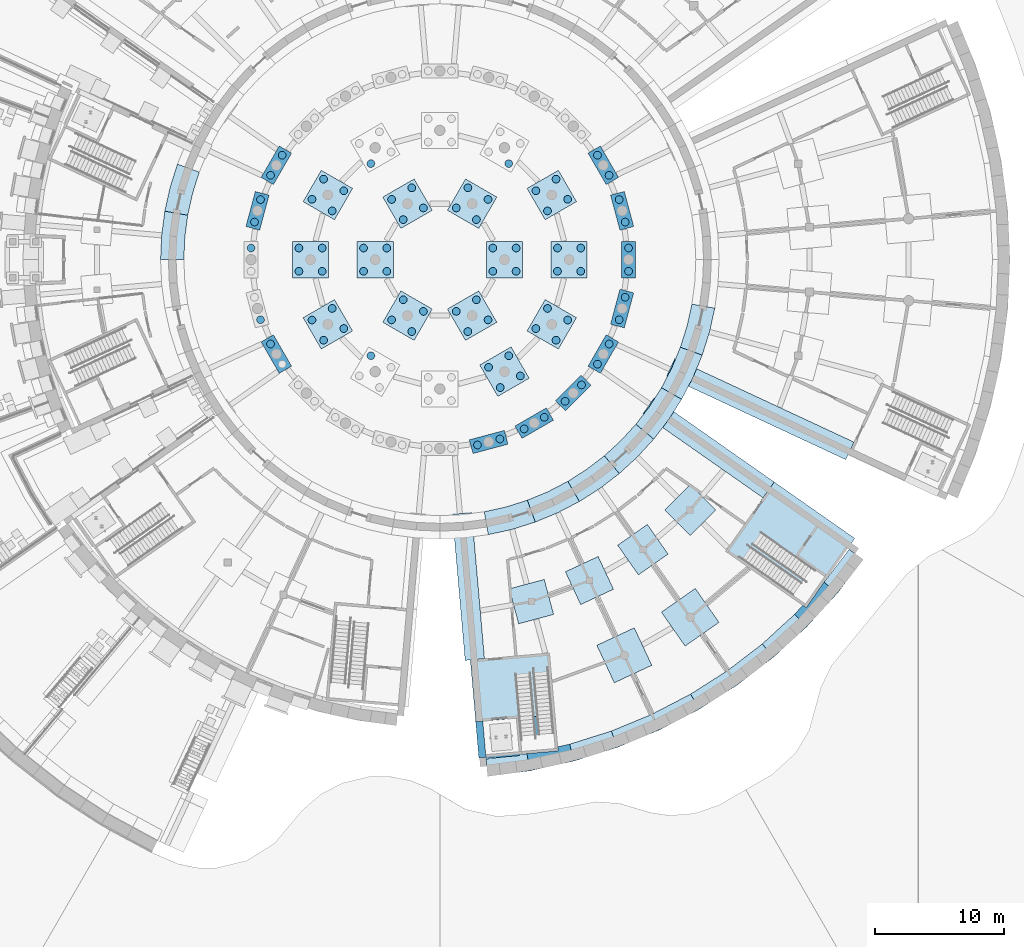
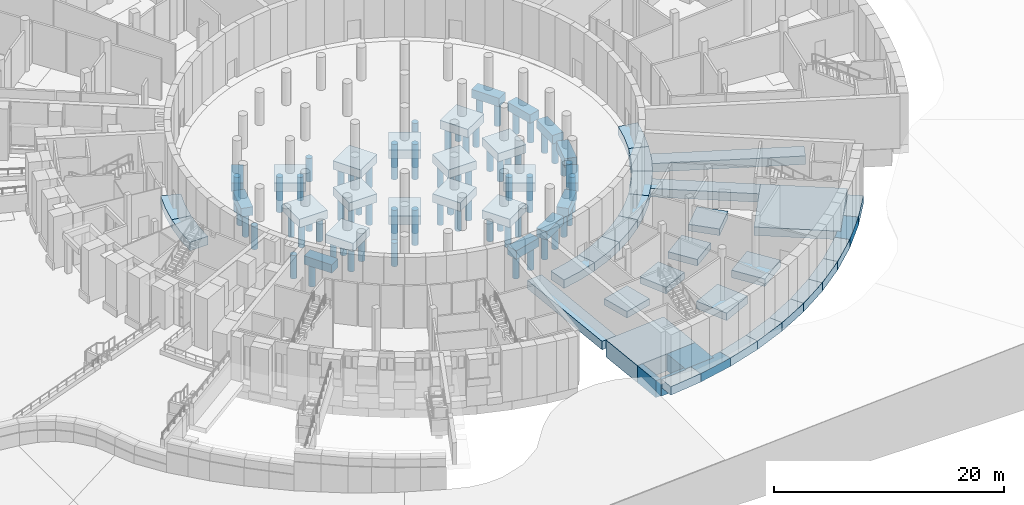
# One storey, part 3 of 65: 78 piles, 57 footings.
"""IFC4 building model written with IfcOpenShell, lengths in metres."""

from ifc_helpers import new_model, si_unit, direction, frame, origin, origin_2d, place, context, subcontext, project, spatial, polyline, rectangle, circle, outline, extrude, material, type_object, element, save


model = new_model("IFC4")

# Units and contexts
model_context = context("Model", 3, precision=1e-05, world=origin(), true_north=direction((0.0, 1.0)))
body_context = subcontext(model_context, "Body", "Model", "MODEL_VIEW")
ifc_project = project(units=[si_unit("LENGTHUNIT", "METRE"), si_unit("AREAUNIT", "SQUARE_METRE"), si_unit("VOLUMEUNIT", "CUBIC_METRE"), si_unit("PLANEANGLEUNIT", "RADIAN"), si_unit("MASSUNIT", "GRAM", prefix="KILO")], contexts=[model_context])

# Site, building, storey
site_placement = place(None, origin())
site = spatial("IfcSite", under=ifc_project, at=site_placement, CompositionType="ELEMENT")
building_placement = place(site_placement, origin())
building = spatial("IfcBuilding", under=site, at=building_placement, Name="Volute Hill Aquarium", CompositionType="ELEMENT")
storey_placement = place(building_placement, frame((0.0, 0.0, -5.5)))
storey = spatial("IfcBuildingStorey", under=building, at=storey_placement, Name="L00", CompositionType="ELEMENT", Elevation=-5.5)

# Piles
ifc_material_1 = material(Name="Concrete C30/37", Category="concrete")
pile_type = type_object("IfcPileType", Name="Bored pile 600 C30/37 L2500", PredefinedType="BORED", material=ifc_material_1)
for number, where, z_axis, x_axis, name in (
    (1, (4.10009765625, -0.89990234375, -1.10009765625), (0.0, 0.0, -1.0), (1.0, 0.0, 0.0), "pl/DR/L00/c1.0.0"),
    (2, (5.89990234375, -0.89990234375, -1.10009765625), (0.0, 0.0, -1.0), (1.0, 0.0, 0.0), "pl/DR/L00/c1.0.1"),
    (3, (4.10009765625, 0.89990234375, -1.10009765625), (0.0, 0.0, -1.0), (1.0, 0.0, 0.0), "pl/DR/L00/c1.0.2"),
    (4, (5.89990234375, 0.89990234375, -1.10009765625), (0.0, 0.0, -1.0), (1.0, 0.0, 0.0), "pl/DR/L00/c1.0.3"),
    (5, (2.829345703125, 3.1005859375, -1.10009765625), (0.0, 0.0, -1.0), (1.0, 0.0, 0.0), "pl/DR/L00/c1.1.0"),
    (6, (3.7294921875, 4.659423828125, -1.10009765625), (0.0, 0.0, -1.0), (1.0, 0.0, 0.0), "pl/DR/L00/c1.1.1"),
    (7, (1.2705078125, 4.000732421875, -1.10009765625), (0.0, 0.0, -1.0), (1.0, 0.0, 0.0), "pl/DR/L00/c1.1.2"),
    (8, (2.170654296875, 5.5595703125, -1.10009765625), (0.0, 0.0, -1.0), (1.0, 0.0, 0.0), "pl/DR/L00/c1.1.3"),
    (9, (-1.2705078125, 4.000732421875, -1.10009765625), (0.0, 0.0, -1.0), (1.0, 0.0, 0.0), "pl/DR/L00/c1.2.0"),
    (10, (-2.170654296875, 5.5595703125, -1.10009765625), (0.0, 0.0, -1.0), (1.0, 0.0, 0.0), "pl/DR/L00/c1.2.1"),
    (11, (-2.829345703125, 3.1005859375, -1.10009765625), (0.0, 0.0, -1.0), (1.0, 0.0, 0.0), "pl/DR/L00/c1.2.2"),
    (12, (-3.7294921875, 4.659423828125, -1.10009765625), (0.0, 0.0, -1.0), (1.0, 0.0, 0.0), "pl/DR/L00/c1.2.3"),
    (13, (-4.10009765625, 0.89990234375, -1.10009765625), (0.0, 0.0, -1.0), (1.0, 0.0, 0.0), "pl/DR/L00/c1.3.0"),
    (14, (-5.89990234375, 0.89990234375, -1.10009765625), (0.0, 0.0, -1.0), (1.0, 0.0, 0.0), "pl/DR/L00/c1.3.1"),
    (15, (-4.10009765625, -0.89990234375, -1.10009765625), (0.0, 0.0, -1.0), (1.0, 0.0, 0.0), "pl/DR/L00/c1.3.2"),
    (16, (-5.89990234375, -0.89990234375, -1.10009765625), (0.0, 0.0, -1.0), (1.0, 0.0, 0.0), "pl/DR/L00/c1.3.3"),
    (17, (-2.829345703125, -3.1005859375, -1.10009765625), (0.0, 0.0, -1.0), (1.0, 0.0, 0.0), "pl/DR/L00/c1.4.0"),
    (18, (-3.7294921875, -4.659423828125, -1.10009765625), (0.0, 0.0, -1.0), (1.0, 0.0, 0.0), "pl/DR/L00/c1.4.1"),
    (19, (-1.2705078125, -4.000732421875, -1.10009765625), (0.0, 0.0, -1.0), (1.0, 0.0, 0.0), "pl/DR/L00/c1.4.2"),
    (20, (-2.170654296875, -5.5595703125, -1.10009765625), (0.0, 0.0, -1.0), (1.0, 0.0, 0.0), "pl/DR/L00/c1.4.3"),
    (21, (1.2705078125, -4.000732421875, -1.10009765625), (0.0, 0.0, -1.0), (1.0, 0.0, 0.0), "pl/DR/L00/c1.5.0"),
    (22, (2.170654296875, -5.5595703125, -1.10009765625), (0.0, 0.0, -1.0), (1.0, 0.0, 0.0), "pl/DR/L00/c1.5.1"),
    (23, (2.829345703125, -3.1005859375, -1.10009765625), (0.0, 0.0, -1.0), (1.0, 0.0, 0.0), "pl/DR/L00/c1.5.2"),
    (24, (3.7294921875, -4.659423828125, -1.10009765625), (0.0, 0.0, -1.0), (1.0, 0.0, 0.0), "pl/DR/L00/c1.5.3"),
    (25, (9.10009765625, -0.89990234375, -1.10009765625), (0.0, 0.0, -1.0), (1.0, 0.0, 0.0), "pl/DR/L00/c2.0.0"),
    (26, (10.89990234375, -0.89990234375, -1.10009765625), (0.0, 0.0, -1.0), (1.0, 0.0, 0.0), "pl/DR/L00/c2.0.1"),
    (27, (9.10009765625, 0.89990234375, -1.10009765625), (0.0, 0.0, -1.0), (1.0, 0.0, 0.0), "pl/DR/L00/c2.0.2"),
    (28, (10.89990234375, 0.89990234375, -1.10009765625), (0.0, 0.0, -1.0), (1.0, 0.0, 0.0), "pl/DR/L00/c2.0.3"),
    (29, (8.330810546875, 3.7705078125, -1.10009765625), (0.0, 0.0, -1.0), (1.0, 0.0, 0.0), "pl/DR/L00/c2.1.0"),
    (30, (9.8896484375, 4.670654296875, -1.10009765625), (0.0, 0.0, -1.0), (1.0, 0.0, 0.0), "pl/DR/L00/c2.1.1"),
    (31, (7.430908203125, 5.329345703125, -1.10009765625), (0.0, 0.0, -1.0), (1.0, 0.0, 0.0), "pl/DR/L00/c2.1.2"),
    (32, (8.98974609375, 6.2294921875, -1.10009765625), (0.0, 0.0, -1.0), (1.0, 0.0, 0.0), "pl/DR/L00/c2.1.3"),
    (33, (5.329345703125, 7.430908203125, -1.10009765625), (0.0, 0.0, -1.0), (1.0, 0.0, 0.0), "pl/DR/L00/c2.2.0"),
    (34, (-5.329345703125, 7.430908203125, -1.10009765625), (0.0, 0.0, -1.0), (1.0, 0.0, 0.0), "pl/DR/L00/c2.4.2"),
    (35, (-7.430908203125, 5.329345703125, -1.10009765625), (0.0, 0.0, -1.0), (1.0, 0.0, 0.0), "pl/DR/L00/c2.5.0"),
    (36, (-8.98974609375, 6.2294921875, -1.10009765625), (0.0, 0.0, -1.0), (1.0, 0.0, 0.0), "pl/DR/L00/c2.5.1"),
    (37, (-8.330810546875, 3.7705078125, -1.10009765625), (0.0, 0.0, -1.0), (1.0, 0.0, 0.0), "pl/DR/L00/c2.5.2"),
    (38, (-9.8896484375, 4.670654296875, -1.10009765625), (0.0, 0.0, -1.0), (1.0, 0.0, 0.0), "pl/DR/L00/c2.5.3"),
    (39, (-9.10009765625, 0.89990234375, -1.10009765625), (0.0, 0.0, -1.0), (1.0, 0.0, 0.0), "pl/DR/L00/c2.6.0"),
    (40, (-10.89990234375, 0.89990234375, -1.10009765625), (0.0, 0.0, -1.0), (1.0, 0.0, 0.0), "pl/DR/L00/c2.6.1"),
    (41, (-9.10009765625, -0.89990234375, -1.10009765625), (0.0, 0.0, -1.0), (1.0, 0.0, 0.0), "pl/DR/L00/c2.6.2"),
    (42, (-10.89990234375, -0.89990234375, -1.10009765625), (0.0, 0.0, -1.0), (1.0, 0.0, 0.0), "pl/DR/L00/c2.6.3"),
    (43, (-8.330810546875, -3.7705078125, -1.10009765625), (0.0, 0.0, -1.0), (1.0, 0.0, 0.0), "pl/DR/L00/c2.7.0"),
    (44, (-9.8896484375, -4.670654296875, -1.10009765625), (0.0, 0.0, -1.0), (1.0, 0.0, 0.0), "pl/DR/L00/c2.7.1"),
    (45, (-7.430908203125, -5.329345703125, -1.10009765625), (0.0, 0.0, -1.0), (1.0, 0.0, 0.0), "pl/DR/L00/c2.7.2"),
    (46, (-8.98974609375, -6.2294921875, -1.10009765625), (0.0, 0.0, -1.0), (1.0, 0.0, 0.0), "pl/DR/L00/c2.7.3"),
    (47, (-5.329345703125, -7.430908203125, -1.10009765625), (0.0, 0.0, -1.0), (1.0, 0.0, 0.0), "pl/DR/L00/c2.8.0"),
    (48, (3.7705078125, -8.330810546875, -1.10009765625), (0.0, 0.0, -1.0), (1.0, 0.0, 0.0), "pl/DR/L00/c2.10.0"),
    (49, (4.670654296875, -9.8896484375, -1.10009765625), (0.0, 0.0, -1.0), (1.0, 0.0, 0.0), "pl/DR/L00/c2.10.1"),
    (50, (5.329345703125, -7.430908203125, -1.10009765625), (0.0, 0.0, -1.0), (1.0, 0.0, 0.0), "pl/DR/L00/c2.10.2"),
    (51, (6.2294921875, -8.98974609375, -1.10009765625), (0.0, 0.0, -1.0), (1.0, 0.0, 0.0), "pl/DR/L00/c2.10.3"),
    (52, (7.430908203125, -5.329345703125, -1.10009765625), (0.0, 0.0, -1.0), (1.0, 0.0, 0.0), "pl/DR/L00/c2.11.0"),
    (53, (8.98974609375, -6.2294921875, -1.10009765625), (0.0, 0.0, -1.0), (1.0, 0.0, 0.0), "pl/DR/L00/c2.11.1"),
    (54, (8.330810546875, -3.7705078125, -1.10009765625), (0.0, 0.0, -1.0), (1.0, 0.0, 0.0), "pl/DR/L00/c2.11.2"),
    (55, (9.8896484375, -4.670654296875, -1.10009765625), (0.0, 0.0, -1.0), (1.0, 0.0, 0.0), "pl/DR/L00/c2.11.3"),
    (56, (14.60009765625, -0.89990234375, -1.10009765625), (0.0, 0.0, -1.0), (1.0, 0.0, 0.0), "pl/DR/L00/c3.0.0"),
    (57, (14.60009765625, 0.89990234375, -1.10009765625), (0.0, 0.0, -1.0), (1.0, 0.0, 0.0), "pl/DR/L00/c3.0.1"),
    (58, (14.33544921875, 2.909423828125, -1.10009765625), (0.0, 0.0, -1.0), (1.0, 0.0, 0.0), "pl/DR/L00/c3.1.0"),
    (59, (13.86962890625, 4.648193359375, -1.10009765625), (0.0, 0.0, -1.0), (1.0, 0.0, 0.0), "pl/DR/L00/c3.1.1"),
    (60, (13.093994140625, 6.5205078125, -1.10009765625), (0.0, 0.0, -1.0), (1.0, 0.0, 0.0), "pl/DR/L00/c3.2.0"),
    (61, (12.194091796875, 8.079345703125, -1.10009765625), (0.0, 0.0, -1.0), (1.0, 0.0, 0.0), "pl/DR/L00/c3.2.1"),
    (62, (-12.194091796875, 8.079345703125, -1.10009765625), (0.0, 0.0, -1.0), (1.0, 0.0, 0.0), "pl/DR/L00/c3.10.0"),
    (63, (-13.093994140625, 6.5205078125, -1.10009765625), (0.0, 0.0, -1.0), (1.0, 0.0, 0.0), "pl/DR/L00/c3.10.1"),
    (64, (-13.86962890625, 4.648193359375, -1.10009765625), (0.0, 0.0, -1.0), (1.0, 0.0, 0.0), "pl/DR/L00/c3.11.0"),
    (65, (-14.33544921875, 2.909423828125, -1.10009765625), (0.0, 0.0, -1.0), (1.0, 0.0, 0.0), "pl/DR/L00/c3.11.1"),
    (66, (-14.60009765625, 0.89990234375, -1.10009765625), (0.0, 0.0, -1.0), (1.0, 0.0, 0.0), "pl/DR/L00/c3.12.0"),
    (67, (-13.86962890625, -4.648193359375, -1.10009765625), (0.0, 0.0, -1.0), (1.0, 0.0, 0.0), "pl/DR/L00/c3.13.1"),
    (68, (-13.093994140625, -6.5205078125, -1.10009765625), (0.0, 0.0, -1.0), (1.0, 0.0, 0.0), "pl/DR/L00/c3.14.0"),
    (69, (2.909423828125, -14.33544921875, -1.10009765625), (0.0, 0.0, -1.0), (1.0, 0.0, 0.0), "pl/DR/L00/c3.19.0"),
    (70, (4.648193359375, -13.86962890625, -1.10009765625), (0.0, 0.0, -1.0), (1.0, 0.0, 0.0), "pl/DR/L00/c3.19.1"),
    (71, (6.5205078125, -13.093994140625, -1.10009765625), (0.0, 0.0, -1.0), (1.0, 0.0, 0.0), "pl/DR/L00/c3.20.0"),
    (72, (8.079345703125, -12.194091796875, -1.10009765625), (0.0, 0.0, -1.0), (1.0, 0.0, 0.0), "pl/DR/L00/c3.20.1"),
    (73, (9.6875, -10.960205078125, -1.10009765625), (0.0, 0.0, -1.0), (1.0, 0.0, 0.0), "pl/DR/L00/c3.21.0"),
    (74, (10.960205078125, -9.6875, -1.10009765625), (0.0, 0.0, -1.0), (1.0, 0.0, 0.0), "pl/DR/L00/c3.21.1"),
    (75, (12.194091796875, -8.079345703125, -1.10009765625), (0.0, 0.0, -1.0), (1.0, 0.0, 0.0), "pl/DR/L00/c3.22.0"),
    (76, (13.093994140625, -6.5205078125, -1.10009765625), (0.0, 0.0, -1.0), (1.0, 0.0, 0.0), "pl/DR/L00/c3.22.1"),
    (77, (13.86962890625, -4.648193359375, -1.10009765625), (0.0, 0.0, -1.0), (1.0, 0.0, 0.0), "pl/DR/L00/c3.23.0"),
    (78, (14.33544921875, -2.909423828125, -1.10009765625), (0.0, 0.0, -1.0), (1.0, 0.0, 0.0), "pl/DR/L00/c3.23.1"),
):
    element("IfcPile", number, at=place(storey_placement, frame(where, z_axis=z_axis, x_axis=x_axis)), inside=storey, type_object=pile_type, Name=name, PredefinedType="BORED", context=body_context, shape_type="SweptSolid", body=[
        extrude(circle(Radius=0.300048828125, at=origin_2d()), origin(), (0.0, 0.0, 1.0), 2.5),
    ])

# Footings
ifc_material_2 = material(Name="Concrete C30/37", Category="concrete")
footing_type_1 = type_object("IfcFootingType", Name="Core raft footing 900 C30/37", PredefinedType="PAD_FOOTING", material=ifc_material_2)
footing_1_placement = place(storey_placement, frame((0.0, 0.0, -0.89990234375)))
element("IfcFooting", 79, at=footing_1_placement, inside=storey, type_object=footing_type_1, Name="ft/S3/L00/raftB", PredefinedType="PAD_FOOTING", context=body_context, shape_type="SweptSolid", body=[
    extrude(outline(polyline([(25.00439453125, -18.423828125), (25.00439453125, -18.423828125), (25.864990234375, -17.1953125), (32.09033203125, -21.554443359375), (31.54541015625, -22.33251953125), (31.54541015625, -22.33251953125), (28.33349609375, -26.919921875), (22.10791015625, -22.560546875), (25.00439453125, -18.423828125)])), origin(), (0.0, 0.0, 1.0), 0.89990234375),
])
ifc_material_3 = material(Name="Concrete C30/37", Category="concrete")
footing_type_2 = type_object("IfcFootingType", Name="Drum wall strip footing 1800", PredefinedType="STRIP_FOOTING", material=ifc_material_3)
footing_2_placement = place(storey_placement, frame((0.0, 0.0, -0.89990234375)))
element("IfcFooting", 80, at=footing_2_placement, inside=storey, type_object=footing_type_2, Name="ft/DR/L00/s16", PredefinedType="STRIP_FOOTING", context=body_context, shape_type="SweptSolid", body=[
    extrude(outline(polyline([(-20.29736328125, 7.3876953125), (-20.864013671875, 5.590576171875), (-21.271728515625, 3.750732421875), (-19.499267578125, 3.438232421875), (-19.125244140625, 5.12451171875), (-18.60595703125, 6.77197265625), (-20.29736328125, 7.3876953125)])), origin(), (0.0, 0.0, 1.0), 0.89990234375),
])
footing_3_placement = place(storey_placement, frame((0.0, 0.0, -0.89990234375)))
element("IfcFooting", 81, at=footing_3_placement, inside=storey, type_object=footing_type_2, Name="ft/DR/L00/s17", PredefinedType="STRIP_FOOTING", context=body_context, shape_type="SweptSolid", body=[
    extrude(outline(polyline([(-21.271728515625, 3.750732421875), (-21.517822265625, 1.882568359375), (-21.60009765625, 0.0), (-19.800048828125, 0.0), (-19.724609375, 1.7255859375), (-19.499267578125, 3.438232421875), (-21.271728515625, 3.750732421875)])), origin(), (0.0, 0.0, 1.0), 0.89990234375),
])
footing_4_placement = place(storey_placement, frame((0.0, 0.0, -0.89990234375)))
element("IfcFooting", 82, at=footing_4_placement, inside=storey, type_object=footing_type_2, Name="ft/DR/L00/s28", PredefinedType="STRIP_FOOTING", context=body_context, shape_type="SweptSolid", body=[
    extrude(outline(polyline([(3.750732421875, -21.271728515625), (5.590576171875, -20.864013671875), (7.3876953125, -20.29736328125), (6.77197265625, -18.60595703125), (5.12451171875, -19.125244140625), (3.438232421875, -19.499267578125), (3.750732421875, -21.271728515625)])), origin(), (0.0, 0.0, 1.0), 0.89990234375),
])
footing_5_placement = place(storey_placement, frame((0.0, 0.0, -0.89990234375)))
element("IfcFooting", 83, at=footing_5_placement, inside=storey, type_object=footing_type_2, Name="ft/DR/L00/s29", PredefinedType="STRIP_FOOTING", context=body_context, shape_type="SweptSolid", body=[
    extrude(outline(polyline([(7.3876953125, -20.29736328125), (9.128662109375, -19.576171875), (10.800048828125, -18.7060546875), (9.89990234375, -17.147216796875), (8.367919921875, -17.94482421875), (6.77197265625, -18.60595703125), (7.3876953125, -20.29736328125)])), origin(), (0.0, 0.0, 1.0), 0.89990234375),
])
footing_6_placement = place(storey_placement, frame((0.0, 0.0, -0.89990234375)))
element("IfcFooting", 84, at=footing_6_placement, inside=storey, type_object=footing_type_2, Name="ft/DR/L00/s30", PredefinedType="STRIP_FOOTING", context=body_context, shape_type="SweptSolid", body=[
    extrude(outline(polyline([(10.800048828125, -18.7060546875), (12.389404296875, -17.693603515625), (13.88427734375, -16.546630859375), (12.727294921875, -15.167724609375), (11.356689453125, -16.21923828125), (9.89990234375, -17.147216796875), (10.800048828125, -18.7060546875)])), origin(), (0.0, 0.0, 1.0), 0.89990234375),
])
footing_7_placement = place(storey_placement, frame((0.0, 0.0, -0.89990234375)))
element("IfcFooting", 85, at=footing_7_placement, inside=storey, type_object=footing_type_2, Name="ft/DR/L00/s31", PredefinedType="STRIP_FOOTING", context=body_context, shape_type="SweptSolid", body=[
    extrude(outline(polyline([(13.88427734375, -16.546630859375), (15.2734375, -15.2734375), (16.546630859375, -13.88427734375), (15.167724609375, -12.727294921875), (14.000732421875, -14.000732421875), (12.727294921875, -15.167724609375), (13.88427734375, -16.546630859375)])), origin(), (0.0, 0.0, 1.0), 0.89990234375),
])
footing_8_placement = place(storey_placement, frame((0.0, 0.0, -0.89990234375)))
element("IfcFooting", 86, at=footing_8_placement, inside=storey, type_object=footing_type_2, Name="ft/DR/L00/s32", PredefinedType="STRIP_FOOTING", context=body_context, shape_type="SweptSolid", body=[
    extrude(outline(polyline([(16.546630859375, -13.88427734375), (17.693603515625, -12.389404296875), (18.7060546875, -10.800048828125), (17.147216796875, -9.89990234375), (16.21923828125, -11.356689453125), (15.167724609375, -12.727294921875), (16.546630859375, -13.88427734375)])), origin(), (0.0, 0.0, 1.0), 0.89990234375),
])
footing_9_placement = place(storey_placement, frame((0.0, 0.0, -0.89990234375)))
element("IfcFooting", 87, at=footing_9_placement, inside=storey, type_object=footing_type_2, Name="ft/DR/L00/s33", PredefinedType="STRIP_FOOTING", context=body_context, shape_type="SweptSolid", body=[
    extrude(outline(polyline([(18.7060546875, -10.800048828125), (19.576171875, -9.128662109375), (20.29736328125, -7.3876953125), (18.60595703125, -6.77197265625), (17.94482421875, -8.367919921875), (17.147216796875, -9.89990234375), (18.7060546875, -10.800048828125)])), origin(), (0.0, 0.0, 1.0), 0.89990234375),
])
footing_10_placement = place(storey_placement, frame((0.0, 0.0, -0.89990234375)))
element("IfcFooting", 88, at=footing_10_placement, inside=storey, type_object=footing_type_2, Name="ft/DR/L00/s34", PredefinedType="STRIP_FOOTING", context=body_context, shape_type="SweptSolid", body=[
    extrude(outline(polyline([(20.29736328125, -7.3876953125), (20.864013671875, -5.590576171875), (21.271728515625, -3.750732421875), (19.499267578125, -3.438232421875), (19.125244140625, -5.12451171875), (18.60595703125, -6.77197265625), (20.29736328125, -7.3876953125)])), origin(), (0.0, 0.0, 1.0), 0.89990234375),
])
ifc_material_4 = material(Name="Concrete C30/37", Category="concrete")
footing_type_3 = type_object("IfcFootingType", Name="Lift core raft footing 1800 C30/37", PredefinedType="PAD_FOOTING", material=ifc_material_4)
footing_11_placement = place(storey_placement, frame((0.0, 0.0, -1.800048828125)))
element("IfcFooting", 89, at=footing_11_placement, inside=storey, type_object=footing_type_3, Name="ft/S3/L00/raftA1", PredefinedType="PAD_FOOTING", context=body_context, shape_type="SweptSolid", body=[
    extrude(outline(polyline([(2.357421875, -30.96240234375), (2.77587890625, -35.744140625), (8.902587890625, -35.2080078125), (8.484130859375, -30.42626953125), (2.357421875, -30.96240234375)])), origin(), (0.0, 0.0, 1.0), 1.800048828125),
])
footing_12_placement = place(storey_placement, frame((0.0, 0.0, -1.800048828125)))
element("IfcFooting", 90, at=footing_12_placement, inside=storey, type_object=footing_type_3, Name="ft/S3/L00/raftA2", PredefinedType="PAD_FOOTING", context=body_context, shape_type="SweptSolid", body=[
    extrude(outline(polyline([(5.913818359375, -35.469482421875), (6.157958984375, -38.2587890625), (9.146484375, -37.997314453125), (8.902587890625, -35.2080078125), (5.913818359375, -35.469482421875)])), origin(), (0.0, 0.0, 1.0), 1.800048828125),
])
footing_13_placement = place(storey_placement, frame((0.0, 0.0, -1.800048828125)))
element("IfcFooting", 91, at=footing_13_placement, inside=storey, type_object=footing_type_3, Name="ft/S3/L00/raftA3", PredefinedType="PAD_FOOTING", context=body_context, shape_type="SweptSolid", body=[
    extrude(outline(polyline([(2.77587890625, -35.744140625), (3.02001953125, -38.533447265625), (3.56787109375, -38.485595703125), (3.32373046875, -35.696044921875), (2.77587890625, -35.744140625)])), origin(), (0.0, 0.0, 1.0), 1.800048828125),
])
footing_14_placement = place(storey_placement, frame((0.0, 0.0, -1.800048828125)))
element("IfcFooting", 92, at=footing_14_placement, inside=storey, type_object=footing_type_3, Name="ft/S3/L00/raftA4", PredefinedType="PAD_FOOTING", context=body_context, shape_type="SweptSolid", body=[
    extrude(outline(polyline([(3.55029296875, -38.286376953125), (3.576416015625, -38.585205078125), (6.16650390625, -38.3583984375), (6.140380859375, -38.059814453125), (3.55029296875, -38.286376953125)])), origin(), (0.0, 0.0, 1.0), 1.800048828125),
])
ifc_material_5 = material(Name="Concrete C30/37", Category="concrete")
footing_type_4 = type_object("IfcFootingType", Name="Outer wall strip footing 1350x900 C30/37", PredefinedType="STRIP_FOOTING", material=ifc_material_5)
footing_15_placement = place(storey_placement, frame((0.0, 0.0, -0.89990234375)))
element("IfcFooting", 93, at=footing_15_placement, inside=storey, type_object=footing_type_4, Name="ft/S3/L00/outer0", PredefinedType="STRIP_FOOTING", context=body_context, shape_type="SweptSolid", body=[
    extrude(outline(polyline([(6.971923828125, -39.5400390625), (3.69775390625, -39.97119140625), (3.580078125, -38.626220703125), (6.737548828125, -38.21044921875), (6.971923828125, -39.5400390625)])), origin(), (0.0, 0.0, 1.0), 0.89990234375),
])
footing_16_placement = place(storey_placement, frame((0.0, 0.0, -0.89990234375)))
element("IfcFooting", 94, at=footing_16_placement, inside=storey, type_object=footing_type_4, Name="ft/S3/L00/outer1", PredefinedType="STRIP_FOOTING", context=body_context, shape_type="SweptSolid", body=[
    extrude(outline(polyline([(10.3916015625, -38.781982421875), (6.971923828125, -39.5400390625), (6.737548828125, -38.21044921875), (6.7548828125, -38.206787109375), (9.146484375, -37.997314453125), (9.118896484375, -37.6826171875), (10.042236328125, -37.477783203125), (10.3916015625, -38.781982421875)])), origin(), (0.0, 0.0, 1.0), 0.89990234375),
])
footing_17_placement = place(storey_placement, frame((0.0, 0.0, -0.89990234375)))
element("IfcFooting", 95, at=footing_17_placement, inside=storey, type_object=footing_type_4, Name="ft/S3/L00/outer2", PredefinedType="STRIP_FOOTING", context=body_context, shape_type="SweptSolid", body=[
    extrude(outline(polyline([(13.732177734375, -37.728759765625), (10.3916015625, -38.781982421875), (10.042236328125, -37.477783203125), (13.2705078125, -36.460205078125), (13.732177734375, -37.728759765625)])), origin(), (0.0, 0.0, 1.0), 0.89990234375),
])
footing_18_placement = place(storey_placement, frame((0.0, 0.0, -0.89990234375)))
element("IfcFooting", 96, at=footing_18_placement, inside=storey, type_object=footing_type_4, Name="ft/S3/L00/outer3", PredefinedType="STRIP_FOOTING", context=body_context, shape_type="SweptSolid", body=[
    extrude(outline(polyline([(16.968017578125, -36.38818359375), (13.732177734375, -37.728759765625), (13.2705078125, -36.460205078125), (16.397705078125, -35.164794921875), (16.968017578125, -36.38818359375)])), origin(), (0.0, 0.0, 1.0), 0.89990234375),
])
footing_19_placement = place(storey_placement, frame((0.0, 0.0, -0.89990234375)))
element("IfcFooting", 97, at=footing_19_placement, inside=storey, type_object=footing_type_4, Name="ft/S3/L00/outer4", PredefinedType="STRIP_FOOTING", context=body_context, shape_type="SweptSolid", body=[
    extrude(outline(polyline([(20.074951171875, -34.77099609375), (16.968017578125, -36.38818359375), (16.397705078125, -35.164794921875), (19.39990234375, -33.601806640625), (20.074951171875, -34.77099609375)])), origin(), (0.0, 0.0, 1.0), 0.89990234375),
])
footing_20_placement = place(storey_placement, frame((0.0, 0.0, -0.89990234375)))
element("IfcFooting", 98, at=footing_20_placement, inside=storey, type_object=footing_type_4, Name="ft/S3/L00/outer5", PredefinedType="STRIP_FOOTING", context=body_context, shape_type="SweptSolid", body=[
    extrude(outline(polyline([(23.029052734375, -32.888916015625), (20.074951171875, -34.77099609375), (19.39990234375, -33.601806640625), (22.2548828125, -31.783203125), (23.029052734375, -32.888916015625)])), origin(), (0.0, 0.0, 1.0), 0.89990234375),
])
footing_21_placement = place(storey_placement, frame((0.0, 0.0, -0.89990234375)))
element("IfcFooting", 99, at=footing_21_placement, inside=storey, type_object=footing_type_4, Name="ft/S3/L00/outer6", PredefinedType="STRIP_FOOTING", context=body_context, shape_type="SweptSolid", body=[
    extrude(outline(polyline([(25.807861328125, -30.756591796875), (23.029052734375, -32.888916015625), (22.2548828125, -31.783203125), (24.940185546875, -29.722412109375), (25.807861328125, -30.756591796875)])), origin(), (0.0, 0.0, 1.0), 0.89990234375),
])
footing_22_placement = place(storey_placement, frame((0.0, 0.0, -0.89990234375)))
element("IfcFooting", 100, at=footing_22_placement, inside=storey, type_object=footing_type_4, Name="ft/S3/L00/outer7", PredefinedType="STRIP_FOOTING", context=body_context, shape_type="SweptSolid", body=[
    extrude(outline(polyline([(28.390380859375, -28.390380859375), (25.807861328125, -30.756591796875), (24.940185546875, -29.722412109375), (27.435791015625, -27.435791015625), (28.390380859375, -28.390380859375)])), origin(), (0.0, 0.0, 1.0), 0.89990234375),
])
footing_23_placement = place(storey_placement, frame((0.0, 0.0, -0.89990234375)))
element("IfcFooting", 101, at=footing_23_placement, inside=storey, type_object=footing_type_4, Name="ft/S3/L00/outer8", PredefinedType="STRIP_FOOTING", context=body_context, shape_type="SweptSolid", body=[
    extrude(outline(polyline([(30.756591796875, -25.807861328125), (28.390380859375, -28.390380859375), (27.435791015625, -27.435791015625), (28.07470703125, -26.738525390625), (28.33349609375, -26.919921875), (29.71044921875, -24.95361328125), (29.722412109375, -24.940185546875), (30.756591796875, -25.807861328125)])), origin(), (0.0, 0.0, 1.0), 0.89990234375),
])
footing_24_placement = place(storey_placement, frame((0.0, 0.0, -0.89990234375)))
element("IfcFooting", 102, at=footing_24_placement, inside=storey, type_object=footing_type_4, Name="ft/S3/L00/outer9", PredefinedType="STRIP_FOOTING", context=body_context, shape_type="SweptSolid", body=[
    extrude(outline(polyline([(29.722412109375, -24.940185546875), (31.6611328125, -22.41357421875), (32.76708984375, -23.18798828125), (30.756591796875, -25.807861328125), (29.722412109375, -24.940185546875)])), origin(), (0.0, 0.0, 1.0), 0.89990234375),
])
ifc_material_6 = material(Name="Concrete C30/37", Category="concrete")
footing_type_5 = type_object("IfcFootingType", Name="Pad footing 2800x2800x700 C30/37", PredefinedType="PAD_FOOTING", material=ifc_material_6)
footing_25_placement = place(storey_placement, frame((0.0, 0.0, -0.699951171875)))
element("IfcFooting", 103, at=footing_25_placement, inside=storey, type_object=footing_type_5, Name="ft/S3/L00/pad1.1", PredefinedType="PAD_FOOTING", context=body_context, shape_type="SweptSolid", body=[
    extrude(outline(polyline([(5.372802734375, -25.460205078125), (6.097412109375, -28.164794921875), (8.802001953125, -27.440185546875), (8.0771484375, -24.735595703125), (5.372802734375, -25.460205078125)])), origin(), (0.0, 0.0, 1.0), 0.699951171875),
])
footing_26_placement = place(storey_placement, frame((0.0, 0.0, -0.699951171875)))
element("IfcFooting", 104, at=footing_26_placement, inside=storey, type_object=footing_type_5, Name="ft/S3/L00/pad1.2", PredefinedType="PAD_FOOTING", context=body_context, shape_type="SweptSolid", body=[
    extrude(outline(polyline([(9.712158203125, -24.140380859375), (10.8955078125, -26.67822265625), (13.43310546875, -25.494873046875), (12.25, -22.957275390625), (9.712158203125, -24.140380859375)])), origin(), (0.0, 0.0, 1.0), 0.699951171875),
])
footing_27_placement = place(storey_placement, frame((0.0, 0.0, -0.699951171875)))
element("IfcFooting", 105, at=footing_27_placement, inside=storey, type_object=footing_type_5, Name="ft/S3/L00/pad1.3", PredefinedType="PAD_FOOTING", context=body_context, shape_type="SweptSolid", body=[
    extrude(outline(polyline([(13.756591796875, -22.08740234375), (15.362548828125, -24.380859375), (17.65625, -22.77490234375), (16.05029296875, -20.481201171875), (13.756591796875, -22.08740234375)])), origin(), (0.0, 0.0, 1.0), 0.699951171875),
])
footing_28_placement = place(storey_placement, frame((0.0, 0.0, -0.699951171875)))
element("IfcFooting", 106, at=footing_28_placement, inside=storey, type_object=footing_type_5, Name="ft/S3/L00/pad1.4", PredefinedType="PAD_FOOTING", context=body_context, shape_type="SweptSolid", body=[
    extrude(outline(polyline([(17.383056640625, -19.36279296875), (19.36279296875, -21.3427734375), (21.3427734375, -19.36279296875), (19.36279296875, -17.383056640625), (17.383056640625, -19.36279296875)])), origin(), (0.0, 0.0, 1.0), 0.699951171875),
])
ifc_material_7 = material(Name="Concrete C30/37", Category="concrete")
footing_type_6 = type_object("IfcFootingType", Name="Pad footing 3200x3200x800 C30/37", PredefinedType="PAD_FOOTING", material=ifc_material_7)
footing_29_placement = place(storey_placement, frame((0.0, 0.0, -0.800048828125)))
element("IfcFooting", 107, at=footing_29_placement, inside=storey, type_object=footing_type_6, Name="ft/S3/L00/pad2.2", PredefinedType="PAD_FOOTING", context=body_context, shape_type="SweptSolid", body=[
    extrude(outline(polyline([(12.14404296875, -29.8291015625), (13.49658203125, -32.729248046875), (16.396728515625, -31.376953125), (15.044189453125, -28.476806640625), (12.14404296875, -29.8291015625)])), origin(), (0.0, 0.0, 1.0), 0.800048828125),
])
footing_30_placement = place(storey_placement, frame((0.0, 0.0, -0.800048828125)))
element("IfcFooting", 108, at=footing_30_placement, inside=storey, type_object=footing_type_6, Name="ft/S3/L00/pad2.3", PredefinedType="PAD_FOOTING", context=body_context, shape_type="SweptSolid", body=[
    extrude(outline(polyline([(17.139404296875, -27.26708984375), (18.974853515625, -29.888427734375), (21.59619140625, -28.052978515625), (19.7607421875, -25.431640625), (17.139404296875, -27.26708984375)])), origin(), (0.0, 0.0, 1.0), 0.800048828125),
])
ifc_material_8 = material(Name="Concrete C30/37", Category="concrete")
footing_type_7 = type_object("IfcFootingType", Name="Strip footing 1500x900 C30/37", PredefinedType="STRIP_FOOTING", material=ifc_material_8)
footing_31_placement = place(storey_placement, frame((0.0, 0.0, -0.89990234375)))
element("IfcFooting", 109, at=footing_31_placement, inside=storey, type_object=footing_type_7, Name="ft/S3/L00/stripA0", PredefinedType="STRIP_FOOTING", context=body_context, shape_type="SweptSolid", body=[
    extrude(outline(polyline([(3.453369140625, -30.866455078125), (2.905517578125, -30.914306640625), (2.905517578125, -30.914306640625), (1.958984375, -30.997314453125), (0.970458984375, -19.697509765625), (2.464599609375, -19.56689453125), (3.453369140625, -30.866455078125)])), origin(), (0.0, 0.0, 1.0), 0.89990234375),
])
footing_32_placement = place(storey_placement, frame((0.0, 0.0, -0.89990234375)))
element("IfcFooting", 110, at=footing_32_placement, inside=storey, type_object=footing_type_7, Name="ft/S3/L00/stripB0", PredefinedType="STRIP_FOOTING", context=body_context, shape_type="SweptSolid", body=[
    extrude(outline(polyline([(25.864990234375, -17.1953125), (25.00439453125, -18.423828125), (15.712890625, -11.91796875), (16.573486328125, -10.689208984375), (25.864990234375, -17.1953125)])), origin(), (0.0, 0.0, 1.0), 0.89990234375),
])
footing_33_placement = place(storey_placement, frame((0.0, 0.0, -0.89990234375)))
element("IfcFooting", 111, at=footing_33_placement, inside=storey, type_object=footing_type_7, Name="ft/S4/L00/stripA0", PredefinedType="STRIP_FOOTING", context=body_context, shape_type="SweptSolid", body=[
    extrude(outline(polyline([(32.03759765625, -14.11181640625), (31.40380859375, -15.471435546875), (17.543701171875, -9.00830078125), (18.177734375, -7.64892578125), (32.03759765625, -14.11181640625)])), origin(), (0.0, 0.0, 1.0), 0.89990234375),
])
ifc_material_9 = material(Name="Concrete C30/37", Category="concrete")
footing_type_8 = type_object("IfcFootingType", Name="Tank hall pile cap 2800x1100 C30/37", PredefinedType="PILE_CAP", material=ifc_material_9)
for number, where, z_axis, x_axis, name in (
    (112, (14.60009765625, 0.0, -1.199951171875), (0.0, 0.0, 1.0), (0.0, 1.0, 0.0), "ft/DR/L00/c3.0"),
    (113, (14.1025390625, 3.77880859375, -1.199951171875), (0.0, 0.0, 1.0), (-0.258819045103, 0.965925826289, 0.0), "ft/DR/L00/c3.1"),
    (114, (12.64404296875, 7.300048828125, -1.199951171875), (0.0, 0.0, 1.0), (-0.5, 0.866025403784, 0.0), "ft/DR/L00/c3.2"),
    (115, (-12.64404296875, 7.300048828125, -1.199951171875), (0.0, 0.0, 1.0), (-0.5, -0.866025403784, 0.0), "ft/DR/L00/c3.10"),
    (116, (-14.1025390625, 3.77880859375, -1.199951171875), (0.0, 0.0, 1.0), (-0.258819045103, -0.965925826289, 0.0), "ft/DR/L00/c3.11"),
    (117, (-12.64404296875, -7.300048828125, -1.199951171875), (0.0, 0.0, 1.0), (0.5, -0.866025403784, 0.0), "ft/DR/L00/c3.14"),
    (118, (3.77880859375, -14.1025390625, -1.199951171875), (0.0, 0.0, 1.0), (0.965925826289, 0.258819045103, 0.0), "ft/DR/L00/c3.19"),
    (119, (7.300048828125, -12.64404296875, -1.199951171875), (0.0, 0.0, 1.0), (0.866025403784, 0.5, 0.0), "ft/DR/L00/c3.20"),
    (120, (10.32373046875, -10.32373046875, -1.199951171875), (0.0, 0.0, 1.0), (0.707106781187, 0.707106781187, 0.0), "ft/DR/L00/c3.21"),
    (121, (12.64404296875, -7.300048828125, -1.199951171875), (0.0, 0.0, 1.0), (0.5, 0.866025403784, 0.0), "ft/DR/L00/c3.22"),
    (122, (14.1025390625, -3.77880859375, -1.199951171875), (0.0, 0.0, 1.0), (0.258819045103, 0.965925826289, 0.0), "ft/DR/L00/c3.23"),
):
    element("IfcFooting", number, at=place(storey_placement, frame(where, z_axis=z_axis, x_axis=x_axis)), inside=storey, type_object=footing_type_8, Name=name, PredefinedType="PILE_CAP", context=body_context, shape_type="SweptSolid", body=[
        extrude(rectangle(XDim=2.800048828125, YDim=1.10009765625, at=origin_2d()), origin(), (0.0, 0.0, 1.0), 0.89990234375),
    ])
ifc_material_10 = material(Name="Concrete C30/37", Category="concrete")
footing_type_9 = type_object("IfcFootingType", Name="Tank hall pile cap 2800x2800 C30/37", PredefinedType="PILE_CAP", material=ifc_material_10)
for number, where, z_axis, x_axis, name in (
    (123, (5.0, 0.0, -1.199951171875), (0.0, 0.0, 1.0), (0.0, 1.0, 0.0), "ft/DR/L00/c1.0"),
    (124, (2.5, 4.330078125, -1.199951171875), (0.0, 0.0, 1.0), (-0.866025403784, 0.5, 0.0), "ft/DR/L00/c1.1"),
    (125, (-2.5, 4.330078125, -1.199951171875), (0.0, 0.0, 1.0), (-0.866025403784, -0.5, 0.0), "ft/DR/L00/c1.2"),
    (126, (-5.0, 0.0, -1.199951171875), (0.0, 0.0, 1.0), (0.0, -1.0, 0.0), "ft/DR/L00/c1.3"),
    (127, (-2.5, -4.330078125, -1.199951171875), (0.0, 0.0, 1.0), (0.866025403784, -0.5, 0.0), "ft/DR/L00/c1.4"),
    (128, (2.5, -4.330078125, -1.199951171875), (0.0, 0.0, 1.0), (0.866025403784, 0.5, 0.0), "ft/DR/L00/c1.5"),
    (129, (10.0, 0.0, -1.199951171875), (0.0, 0.0, 1.0), (0.0, 1.0, 0.0), "ft/DR/L00/c2.0"),
    (130, (8.660400390625, 5.0, -1.199951171875), (0.0, 0.0, 1.0), (-0.5, 0.866025403784, 0.0), "ft/DR/L00/c2.1"),
    (131, (-8.660400390625, 5.0, -1.199951171875), (0.0, 0.0, 1.0), (-0.5, -0.866025403784, 0.0), "ft/DR/L00/c2.5"),
    (132, (-10.0, 0.0, -1.199951171875), (0.0, 0.0, 1.0), (0.0, -1.0, 0.0), "ft/DR/L00/c2.6"),
    (133, (-8.660400390625, -5.0, -1.199951171875), (0.0, 0.0, 1.0), (0.5, -0.866025403784, 0.0), "ft/DR/L00/c2.7"),
    (134, (5.0, -8.660400390625, -1.199951171875), (0.0, 0.0, 1.0), (0.866025403784, 0.5, 0.0), "ft/DR/L00/c2.10"),
    (135, (8.660400390625, -5.0, -1.199951171875), (0.0, 0.0, 1.0), (0.5, 0.866025403784, 0.0), "ft/DR/L00/c2.11"),
):
    element("IfcFooting", number, at=place(storey_placement, frame(where, z_axis=z_axis, x_axis=x_axis)), inside=storey, type_object=footing_type_9, Name=name, PredefinedType="PILE_CAP", context=body_context, shape_type="SweptSolid", body=[
        extrude(rectangle(XDim=2.800048828125, YDim=2.800048828125, at=origin_2d()), origin(), (0.0, 0.0, 1.0), 0.89990234375),
    ])

save(model, "model.ifc")
